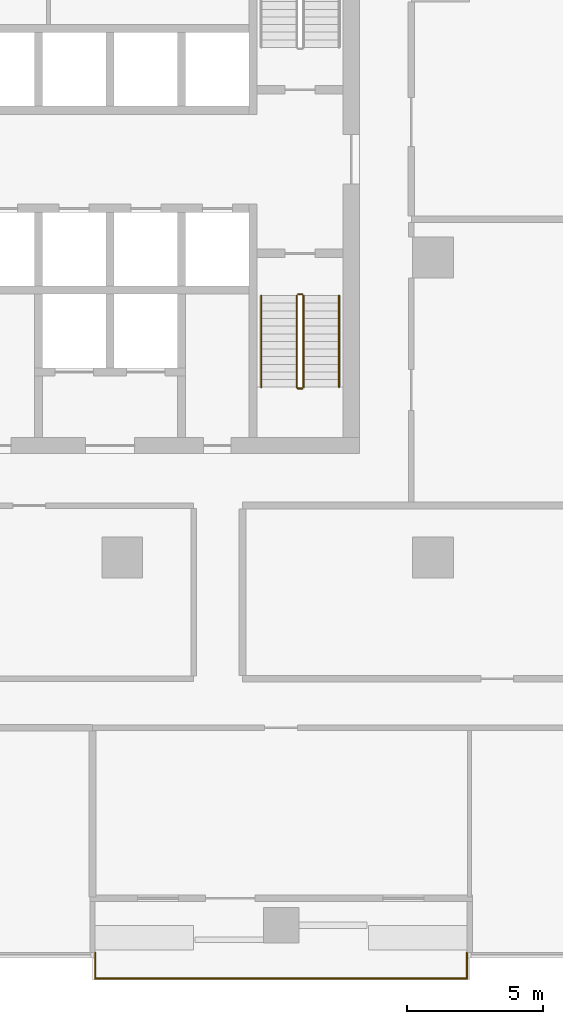
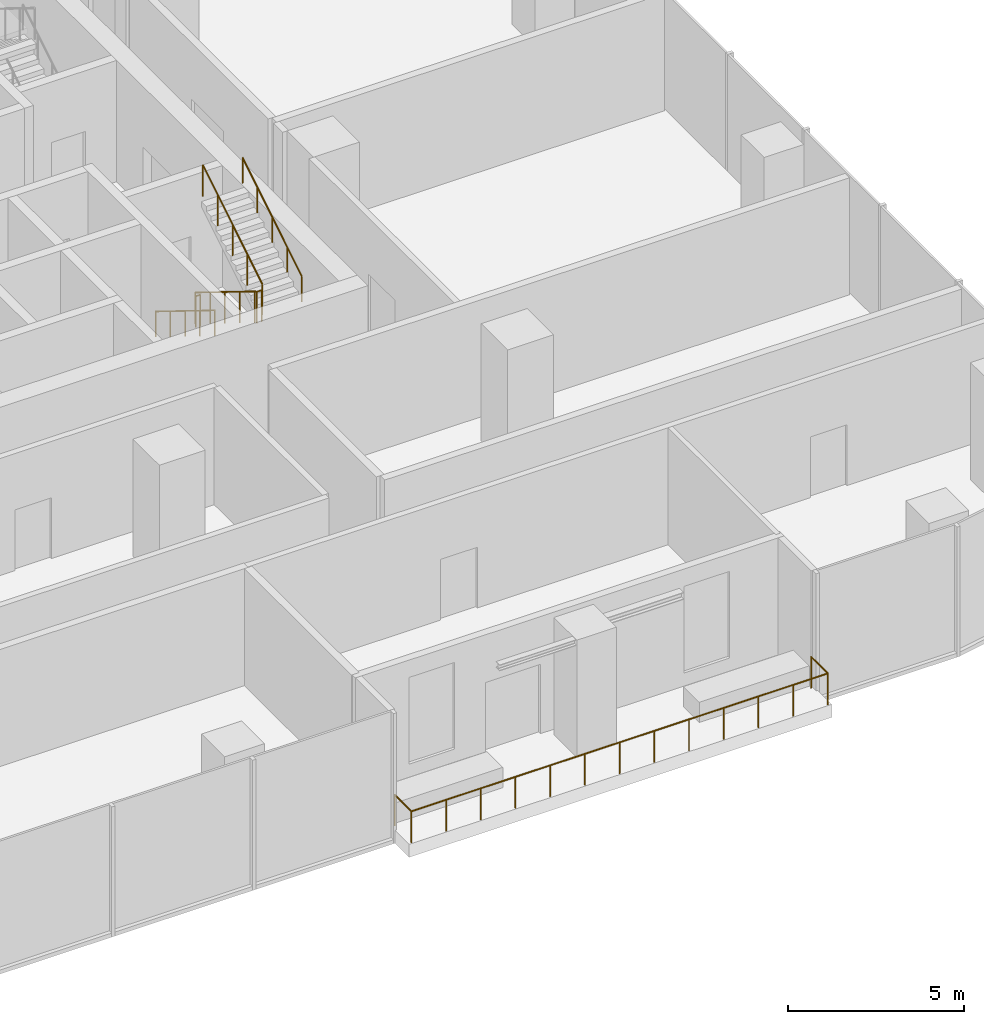
# One storey, part 13 of 15: 6 railings.
"""IFC4 building model written with IfcOpenShell, lengths in metres."""

from ifc_helpers import new_model, si_unit, direction, frame, origin, origin_2d, place, context, subcontext, project, spatial, circle, extrude, material, type_object, element, save


model = new_model("IFC4")

# Units and contexts
model_context = context("Model", 3, precision=1e-05, world=origin(), true_north=direction((0.0, 1.0)))
body_context = subcontext(model_context, "Body", "Model", "MODEL_VIEW")
ifc_project = project(units=[si_unit("LENGTHUNIT", "METRE"), si_unit("AREAUNIT", "SQUARE_METRE"), si_unit("VOLUMEUNIT", "CUBIC_METRE"), si_unit("PLANEANGLEUNIT", "RADIAN"), si_unit("MASSUNIT", "GRAM", prefix="KILO")], contexts=[model_context])

# Site, building, storey
site_placement = place(None, origin())
site = spatial("IfcSite", under=ifc_project, at=site_placement, CompositionType="ELEMENT")
building_placement = place(site_placement, origin())
building = spatial("IfcBuilding", under=site, at=building_placement, Name="Mopane Tessera Tower", CompositionType="ELEMENT")
storey_placement = place(building_placement, frame((0.0, 0.0, 99.10009765625)))
storey = spatial("IfcBuildingStorey", under=building, at=storey_placement, Name="L19", CompositionType="ELEMENT", Elevation=99.10009765625)

# Railings
ifc_material_1 = material(Name="Powder-coated steel balustrade", Category="steel")
railing_type_1 = type_object("IfcRailingType", Name="Escape stair guard 1100 mm", PredefinedType="GUARDRAIL", material=ifc_material_1)
railing_1_placement = place(storey_placement, frame((12.10009765625, -1.39990234375, 0.173095703125)))
element("IfcRailing", 1, at=railing_1_placement, inside=storey, type_object=railing_type_1, Name="L19 ST3 stair guard 1", PredefinedType="GUARDRAIL", context=body_context, shape_type="SweptSolid", body=[
    extrude(circle(Radius=0.02392578125, at=origin_2d()), frame((0.0, 0.0, 1.076171875), z_axis=(0.0, -0.850623216509, 0.525775754039), x_axis=(1.0, 0.0, 0.0)), (0.0, 0.0, 1.0), 3.9501953125),
    extrude(circle(Radius=0.02392578125, at=origin_2d()), frame((0.0, -3.360107421875, 3.15283203125), z_axis=(0.705375805398, -0.708833529934, 0.0), x_axis=(0.708833529934, 0.705375805398, 0.0)), (0.0, 0.0, 1.0), 0.070556640625),
    extrude(circle(Radius=0.02392578125, at=origin_2d()), frame((0.0498046875, -3.41015625, 3.15283203125), z_axis=(1.0, 0.0, 0.0), x_axis=(0.0, 1.0, 0.0)), (0.0, 0.0, 1.0), 0.150146484375),
    extrude(circle(Radius=0.02099609375, at=origin_2d()), origin(), (0.0, 0.0, 1.0), 1.052001953125),
    extrude(circle(Radius=0.02099609375, at=origin_2d()), frame((0.0, -0.840087890625, 0.519287109375)), (0.0, 0.0, 1.0), 1.052001953125),
    extrude(circle(Radius=0.02099609375, at=origin_2d()), frame((0.0, -1.68017578125, 1.03857421875)), (0.0, 0.0, 1.0), 1.052001953125),
    extrude(circle(Radius=0.02099609375, at=origin_2d()), frame((0.0, -2.52001953125, 1.5576171875)), (0.0, 0.0, 1.0), 1.052001953125),
    extrude(circle(Radius=0.02099609375, at=origin_2d()), frame((0.0, -3.360107421875, 2.076904296875)), (0.0, 0.0, 1.0), 1.052001953125),
    extrude(circle(Radius=0.02099609375, at=origin_2d()), frame((0.0498046875, -3.41015625, 2.076904296875)), (0.0, 0.0, 1.0), 1.052001953125),
    extrude(circle(Radius=0.02099609375, at=origin_2d()), frame((0.199951171875, -3.41015625, 2.076904296875)), (0.0, 0.0, 1.0), 1.052001953125),
])
railing_2_placement = place(storey_placement, frame((12.35009765625, -4.760009765625, 2.423095703125)))
element("IfcRailing", 2, at=railing_2_placement, inside=storey, type_object=railing_type_1, Name="L19 ST3 stair guard 2", PredefinedType="GUARDRAIL", context=body_context, shape_type="SweptSolid", body=[
    extrude(circle(Radius=0.02392578125, at=origin_2d()), frame((0.0, 0.0, 1.076171875), z_axis=(0.0, 0.850623216509, 0.525775754039), x_axis=(-1.0, 0.0, 0.0)), (0.0, 0.0, 1.0), 3.9501953125),
    extrude(circle(Radius=0.02099609375, at=origin_2d()), origin(), (0.0, 0.0, 1.0), 1.052001953125),
    extrude(circle(Radius=0.02099609375, at=origin_2d()), frame((0.0, 0.840087890625, 0.519287109375)), (0.0, 0.0, 1.0), 1.052001953125),
    extrude(circle(Radius=0.02099609375, at=origin_2d()), frame((0.0, 1.68017578125, 1.03857421875)), (0.0, 0.0, 1.0), 1.052001953125),
    extrude(circle(Radius=0.02099609375, at=origin_2d()), frame((0.0, 2.52001953125, 1.5576171875)), (0.0, 0.0, 1.0), 1.052001953125),
    extrude(circle(Radius=0.02099609375, at=origin_2d()), frame((0.0, 3.360107421875, 2.076904296875)), (0.0, 0.0, 1.0), 1.052001953125),
])
railing_3_placement = place(storey_placement, frame((12.14990234375, -1.35009765625, 0.0)))
element("IfcRailing", 3, at=railing_3_placement, inside=storey, type_object=railing_type_1, Name="L19 ST3 stair guard 3", PredefinedType="GUARDRAIL", context=body_context, shape_type="SweptSolid", body=[
    extrude(circle(Radius=0.02392578125, at=origin_2d()), frame((0.0, 0.0, 1.076171875), z_axis=(1.0, 0.0, 0.0), x_axis=(0.0, 1.0, 0.0)), (0.0, 0.0, 1.0), 0.150146484375),
    extrude(circle(Radius=0.02099609375, at=origin_2d()), origin(), (0.0, 0.0, 1.0), 1.052001953125),
    extrude(circle(Radius=0.02099609375, at=origin_2d()), frame((0.150146484375, 0.0, 0.0)), (0.0, 0.0, 1.0), 1.052001953125),
])
ifc_material_2 = material(Name="Powder-coated steel balustrade", Category="steel")
railing_type_2 = type_object("IfcRailingType", Name="Escape stair handrail 900 mm", PredefinedType="HANDRAIL", material=ifc_material_2)
railing_4_placement = place(storey_placement, frame((10.800048828125, -1.39990234375, 0.173095703125)))
element("IfcRailing", 4, at=railing_4_placement, inside=storey, type_object=railing_type_2, Name="L19 ST3 stair handrail 1", PredefinedType="HANDRAIL", context=body_context, shape_type="SweptSolid", body=[
    extrude(circle(Radius=0.02392578125, at=origin_2d()), frame((0.0, 0.0, 0.8759765625), z_axis=(0.0, -0.850623216509, 0.525775754039), x_axis=(1.0, 0.0, 0.0)), (0.0, 0.0, 1.0), 3.9501953125),
    extrude(circle(Radius=0.02099609375, at=origin_2d()), origin(), (0.0, 0.0, 1.0), 0.851806640625),
    extrude(circle(Radius=0.02099609375, at=origin_2d()), frame((0.0, -0.840087890625, 0.519287109375)), (0.0, 0.0, 1.0), 0.851806640625),
    extrude(circle(Radius=0.02099609375, at=origin_2d()), frame((0.0, -1.68017578125, 1.03857421875)), (0.0, 0.0, 1.0), 0.851806640625),
    extrude(circle(Radius=0.02099609375, at=origin_2d()), frame((0.0, -2.52001953125, 1.5576171875)), (0.0, 0.0, 1.0), 0.851806640625),
    extrude(circle(Radius=0.02099609375, at=origin_2d()), frame((0.0, -3.360107421875, 2.076904296875)), (0.0, 0.0, 1.0), 0.851806640625),
])
railing_5_placement = place(storey_placement, frame((13.64990234375, -4.760009765625, 2.423095703125)))
element("IfcRailing", 5, at=railing_5_placement, inside=storey, type_object=railing_type_2, Name="L19 ST3 stair handrail 2", PredefinedType="HANDRAIL", context=body_context, shape_type="SweptSolid", body=[
    extrude(circle(Radius=0.02392578125, at=origin_2d()), frame((0.0, 0.0, 0.8759765625), z_axis=(0.0, 0.850623216509, 0.525775754039), x_axis=(-1.0, 0.0, 0.0)), (0.0, 0.0, 1.0), 3.9501953125),
    extrude(circle(Radius=0.02099609375, at=origin_2d()), origin(), (0.0, 0.0, 1.0), 0.851806640625),
    extrude(circle(Radius=0.02099609375, at=origin_2d()), frame((0.0, 0.840087890625, 0.519287109375)), (0.0, 0.0, 1.0), 0.851806640625),
    extrude(circle(Radius=0.02099609375, at=origin_2d()), frame((0.0, 1.68017578125, 1.03857421875)), (0.0, 0.0, 1.0), 0.851806640625),
    extrude(circle(Radius=0.02099609375, at=origin_2d()), frame((0.0, 2.52001953125, 1.5576171875)), (0.0, 0.0, 1.0), 0.851806640625),
    extrude(circle(Radius=0.02099609375, at=origin_2d()), frame((0.0, 3.360107421875, 2.076904296875)), (0.0, 0.0, 1.0), 0.851806640625),
])
ifc_material_3 = material(Name="Stainless steel S316", Category="steel")
railing_type_3 = type_object("IfcRailingType", Name="Terrace guard 1100", PredefinedType="GUARDRAIL", material=ifc_material_3)
railing_6_placement = place(storey_placement, frame((4.7099609375, -25.5, 0.0)))
element("IfcRailing", 6, at=railing_6_placement, inside=storey, type_object=railing_type_3, Name="e:nw:L19:N3:guard", PredefinedType="GUARDRAIL", context=body_context, shape_type="SweptSolid", body=[
    extrude(circle(Radius=0.02392578125, at=origin_2d()), frame((0.0, 0.0, 1.076171875), z_axis=(0.0, -1.0, 0.0), x_axis=(1.0, 0.0, 0.0)), (0.0, 0.0, 1.0), 0.949951171875),
    extrude(circle(Radius=0.02392578125, at=origin_2d()), frame((0.0, -0.949951171875, 1.076171875), z_axis=(1.0, 0.0, 0.0), x_axis=(0.0, 1.0, 0.0)), (0.0, 0.0, 1.0), 13.630126953125),
    extrude(circle(Radius=0.02392578125, at=origin_2d()), frame((13.630126953125, -0.949951171875, 1.076171875), z_axis=(0.0, 1.0, 0.0), x_axis=(-1.0, 0.0, 0.0)), (0.0, 0.0, 1.0), 0.949951171875),
    extrude(circle(Radius=0.02099609375, at=origin_2d()), origin(), (0.0, 0.0, 1.0), 1.052001953125),
    extrude(circle(Radius=0.02099609375, at=origin_2d()), frame((0.0, -0.949951171875, 0.0)), (0.0, 0.0, 1.0), 1.052001953125),
    extrude(circle(Radius=0.02099609375, at=origin_2d()), frame((1.1357421875, -0.949951171875, 0.0)), (0.0, 0.0, 1.0), 1.052001953125),
    extrude(circle(Radius=0.02099609375, at=origin_2d()), frame((2.271728515625, -0.949951171875, 0.0)), (0.0, 0.0, 1.0), 1.052001953125),
    extrude(circle(Radius=0.02099609375, at=origin_2d()), frame((3.407470703125, -0.949951171875, 0.0)), (0.0, 0.0, 1.0), 1.052001953125),
    extrude(circle(Radius=0.02099609375, at=origin_2d()), frame((4.54345703125, -0.949951171875, 0.0)), (0.0, 0.0, 1.0), 1.052001953125),
    extrude(circle(Radius=0.02099609375, at=origin_2d()), frame((5.67919921875, -0.949951171875, 0.0)), (0.0, 0.0, 1.0), 1.052001953125),
    extrude(circle(Radius=0.02099609375, at=origin_2d()), frame((6.81494140625, -0.949951171875, 0.0)), (0.0, 0.0, 1.0), 1.052001953125),
    extrude(circle(Radius=0.02099609375, at=origin_2d()), frame((7.950927734375, -0.949951171875, 0.0)), (0.0, 0.0, 1.0), 1.052001953125),
    extrude(circle(Radius=0.02099609375, at=origin_2d()), frame((9.086669921875, -0.949951171875, 0.0)), (0.0, 0.0, 1.0), 1.052001953125),
    extrude(circle(Radius=0.02099609375, at=origin_2d()), frame((10.22265625, -0.949951171875, 0.0)), (0.0, 0.0, 1.0), 1.052001953125),
    extrude(circle(Radius=0.02099609375, at=origin_2d()), frame((11.3583984375, -0.949951171875, 0.0)), (0.0, 0.0, 1.0), 1.052001953125),
    extrude(circle(Radius=0.02099609375, at=origin_2d()), frame((12.494384765625, -0.949951171875, 0.0)), (0.0, 0.0, 1.0), 1.052001953125),
    extrude(circle(Radius=0.02099609375, at=origin_2d()), frame((13.630126953125, -0.949951171875, 0.0)), (0.0, 0.0, 1.0), 1.052001953125),
    extrude(circle(Radius=0.02099609375, at=origin_2d()), frame((13.630126953125, 0.0, 0.0)), (0.0, 0.0, 1.0), 1.052001953125),
])

save(model, "model.ifc")
